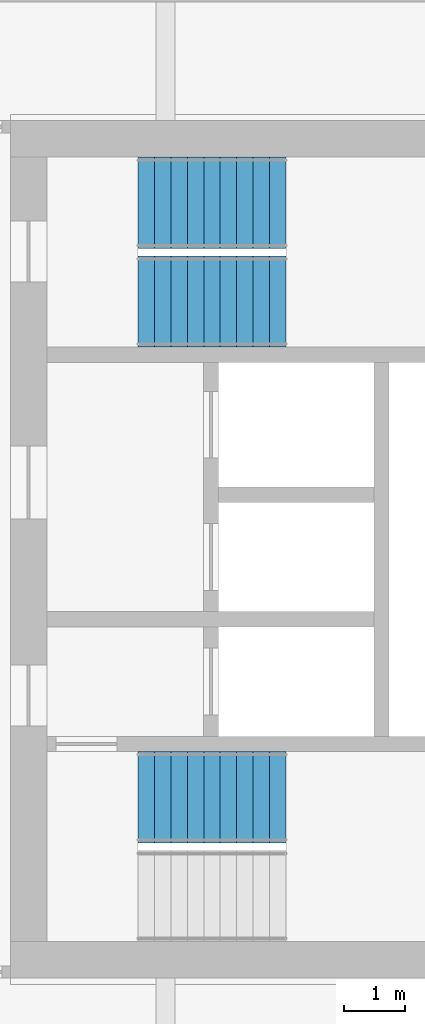
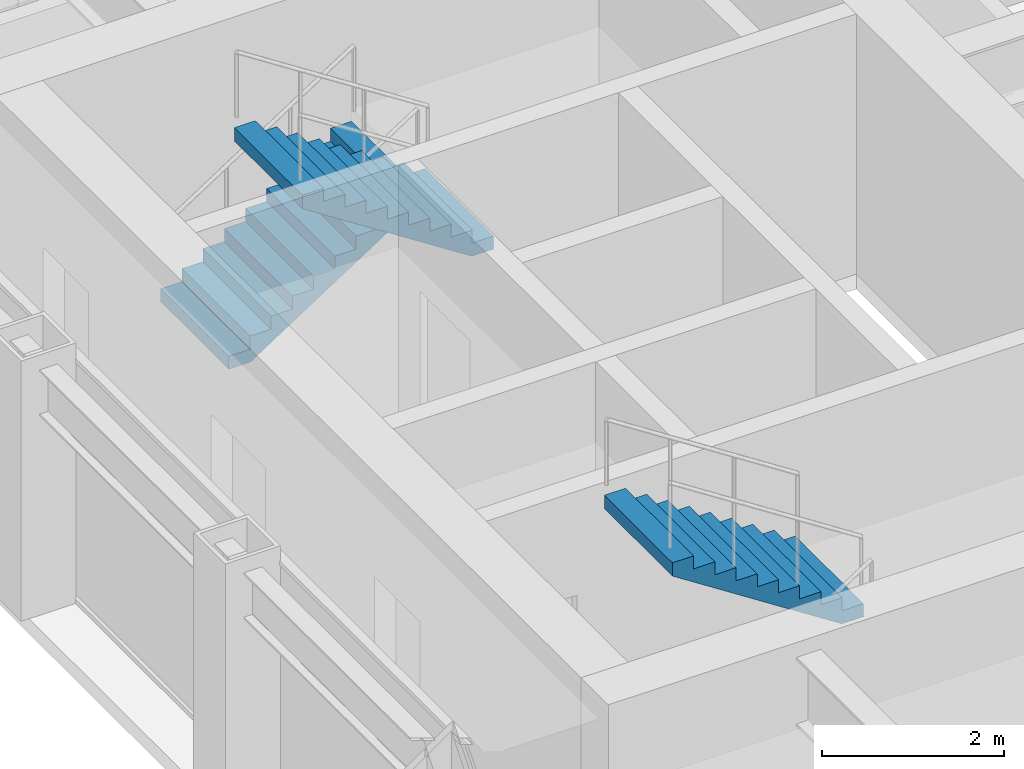
# One storey, part 16 of 21: 3 stair flights, 2 elements without a shape of their own.
"""IFC4 building model written with IfcOpenShell, lengths in metres."""

from ifc_helpers import new_model, si_unit, direction, frame, origin, place, context, subcontext, project, spatial, polyline, outline, extrude, material, type_object, element, aggregate, save


model = new_model("IFC4")

# Units and contexts
model_context = context("Model", 3, precision=1e-05, world=origin(), true_north=direction((0.0, 1.0)))
body_context = subcontext(model_context, "Body", "Model", "MODEL_VIEW")
ifc_project = project(units=[si_unit("LENGTHUNIT", "METRE"), si_unit("AREAUNIT", "SQUARE_METRE"), si_unit("VOLUMEUNIT", "CUBIC_METRE"), si_unit("PLANEANGLEUNIT", "RADIAN"), si_unit("MASSUNIT", "GRAM", prefix="KILO")], contexts=[model_context])

# Site, building, storey
site_placement = place(None, origin())
site = spatial("IfcSite", under=ifc_project, at=site_placement, CompositionType="ELEMENT")
building_placement = place(site_placement, origin())
building = spatial("IfcBuilding", under=site, at=building_placement, Name="Msasa Ring Tower", CompositionType="ELEMENT")
storey_placement = place(building_placement, frame((0.0, 0.0, 86.0)))
storey = spatial("IfcBuildingStorey", under=building, at=storey_placement, Name="L22", CompositionType="ELEMENT", Elevation=86.0)

# Stair, stair flight
ifc_material_1 = material(Name="Concrete C40/50", Category="concrete")
stair_type = type_object("IfcStairType", Name="STC CORE STAIR 20 RISERS 175", PredefinedType="HALF_TURN_STAIR", material=ifc_material_1)
stair_1_placement = place(storey_placement, origin())
stair_1 = element("IfcStair", 1, at=stair_1_placement, inside=storey, type_object=stair_type, Name="Core stair SEA L22", PredefinedType="HALF_TURN_STAIR")
ifc_material_2 = material(Name="Concrete C40/50", Category="concrete")
stair_flight_type = type_object("IfcStairFlightType", Name="ST12 CORE STAIR FLIGHT 1500 10 RISERS 175", PredefinedType="STRAIGHT", material=ifc_material_2)
stair_flight_1_placement = place(storey_placement, frame((13.22998046875, -4.074951171875, 1.75), z_axis=(0.0, 0.0, 1.0), x_axis=(-1.0, 0.0, 0.0)))
stair_flight_1 = element("IfcStairFlight", 2, at=stair_flight_1_placement, type_object=stair_flight_type, Name="SEA flight 2", NumberOfRisers=10, NumberOfTreads=9, PredefinedType="STRAIGHT", RiserHeight=0.175, TreadLength=0.27, context=body_context, shape_type="SweptSolid", body=[
    extrude(outline(polyline([(0.0, 0.0), (0.0, 0.175048828125), (0.27001953125, 0.175048828125), (0.27001953125, 0.35009765625), (0.5400390625, 0.35009765625), (0.5400390625, 0.52490234375), (0.81005859375, 0.52490234375), (0.81005859375, 0.699951171875), (1.080078125, 0.699951171875), (1.080078125, 0.875), (1.35009765625, 0.875), (1.35009765625, 1.050048828125), (1.6201171875, 1.050048828125), (1.6201171875, 1.22509765625), (1.889892578125, 1.22509765625), (1.889892578125, 1.39990234375), (2.159912109375, 1.39990234375), (2.159912109375, 1.574951171875), (2.429931640625, 1.574951171875), (2.429931640625, 1.75), (2.429931640625, 1.396484375), (0.275634765625, 0.0), (0.0, 0.0)])), frame((0.0, 0.75, 0.0), z_axis=(0.0, -1.0, 0.0), x_axis=(1.0, 0.0, 0.0)), (0.0, 0.0, 1.0), 1.5),
])
aggregate(stair_1, [stair_flight_1])

# Stair, stair flights
stair_2_placement = place(storey_placement, origin())
stair_2 = element("IfcStair", 3, at=stair_2_placement, inside=storey, type_object=stair_type, Name="Core stair SEB L22", PredefinedType="HALF_TURN_STAIR")
stair_flight_2_placement = place(storey_placement, frame((10.800048828125, 5.699951171875, 0.0), z_axis=(0.0, 0.0, 1.0), x_axis=(1.0, 0.0, 0.0)))
stair_flight_2 = element("IfcStairFlight", 4, at=stair_flight_2_placement, type_object=stair_flight_type, Name="SEB flight 1", NumberOfRisers=10, NumberOfTreads=9, PredefinedType="STRAIGHT", RiserHeight=0.175, TreadLength=0.27, context=body_context, shape_type="SweptSolid", body=[
    extrude(outline(polyline([(0.0, 0.0), (0.0, 0.175048828125), (0.27001953125, 0.175048828125), (0.27001953125, 0.35009765625), (0.5400390625, 0.35009765625), (0.5400390625, 0.52490234375), (0.81005859375, 0.52490234375), (0.81005859375, 0.699951171875), (1.080078125, 0.699951171875), (1.080078125, 0.875), (1.35009765625, 0.875), (1.35009765625, 1.050048828125), (1.6201171875, 1.050048828125), (1.6201171875, 1.22509765625), (1.889892578125, 1.22509765625), (1.889892578125, 1.39990234375), (2.159912109375, 1.39990234375), (2.159912109375, 1.574951171875), (2.429931640625, 1.574951171875), (2.429931640625, 1.75), (2.429931640625, 1.396484375), (0.275634765625, 0.0), (0.0, 0.0)])), frame((0.0, 0.75, 0.0), z_axis=(0.0, -1.0, 0.0), x_axis=(1.0, 0.0, 0.0)), (0.0, 0.0, 1.0), 1.5),
])
stair_flight_3_placement = place(storey_placement, frame((13.22998046875, 4.074951171875, 1.75), z_axis=(0.0, 0.0, 1.0), x_axis=(-1.0, 0.0, 0.0)))
stair_flight_3 = element("IfcStairFlight", 5, at=stair_flight_3_placement, type_object=stair_flight_type, Name="SEB flight 2", NumberOfRisers=10, NumberOfTreads=9, PredefinedType="STRAIGHT", RiserHeight=0.175, TreadLength=0.27, context=body_context, shape_type="SweptSolid", body=[
    extrude(outline(polyline([(0.0, 0.0), (0.0, 0.175048828125), (0.27001953125, 0.175048828125), (0.27001953125, 0.35009765625), (0.5400390625, 0.35009765625), (0.5400390625, 0.52490234375), (0.81005859375, 0.52490234375), (0.81005859375, 0.699951171875), (1.080078125, 0.699951171875), (1.080078125, 0.875), (1.35009765625, 0.875), (1.35009765625, 1.050048828125), (1.6201171875, 1.050048828125), (1.6201171875, 1.22509765625), (1.889892578125, 1.22509765625), (1.889892578125, 1.39990234375), (2.159912109375, 1.39990234375), (2.159912109375, 1.574951171875), (2.429931640625, 1.574951171875), (2.429931640625, 1.75), (2.429931640625, 1.396484375), (0.275634765625, 0.0), (0.0, 0.0)])), frame((0.0, 0.75, 0.0), z_axis=(0.0, -1.0, 0.0), x_axis=(1.0, 0.0, 0.0)), (0.0, 0.0, 1.0), 1.5),
])
aggregate(stair_2, [stair_flight_2, stair_flight_3])

save(model, "model.ifc")
